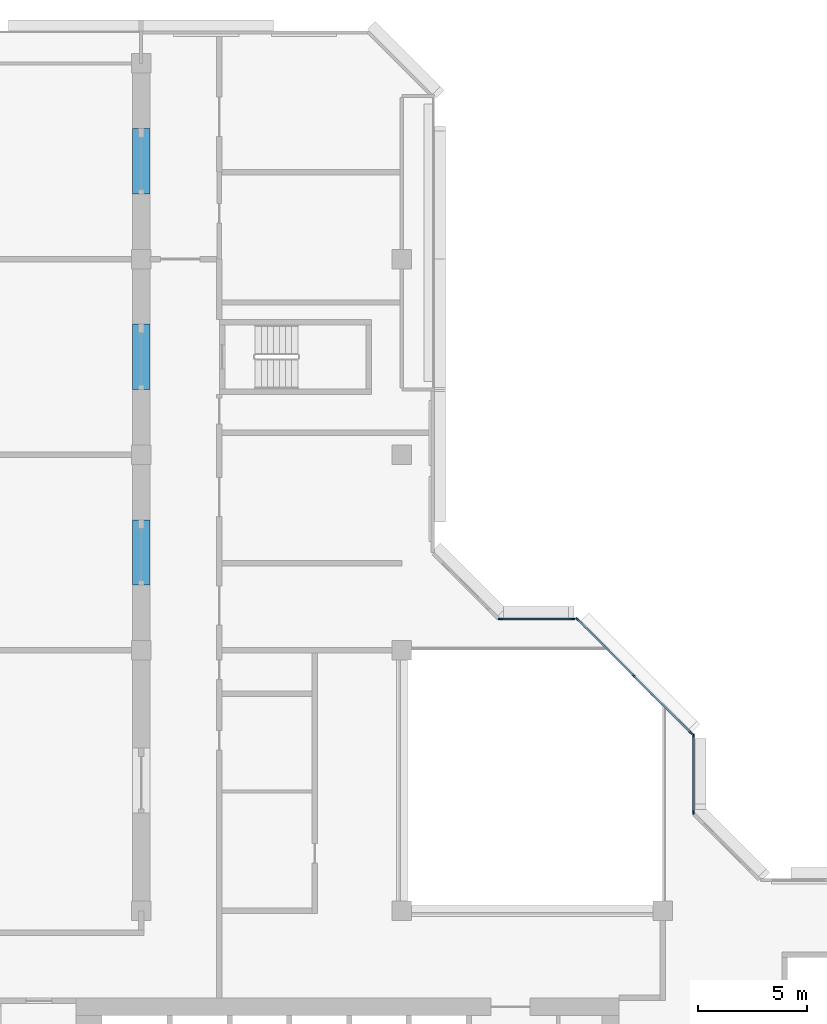
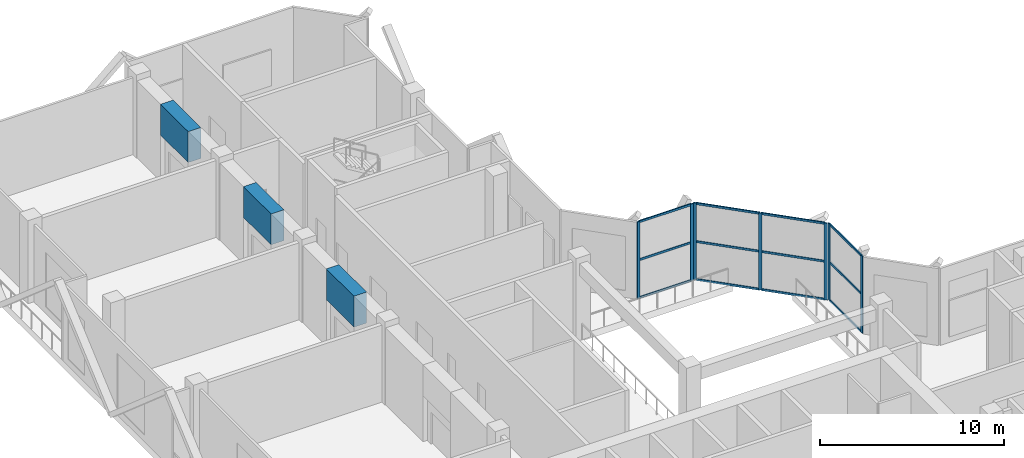
# One storey, part 2 of 11: 19 members, 3 beams, 3 elements without a shape of their own.
"""IFC4 building model written with IfcOpenShell, lengths in metres."""

from ifc_helpers import new_model, si_unit, direction, frame, origin, origin_2d, place, context, subcontext, project, spatial, rectangle, extrude, material, layer, layer_set, material_profile, profile_set, type_object, element, aggregate, save


model = new_model("IFC4")

# Units and contexts
model_context = context("Model", 3, precision=1e-05, world=origin(), true_north=direction((0.0, 1.0)))
body_context = subcontext(model_context, "Body", "Model", "MODEL_VIEW")
ifc_project = project(units=[si_unit("LENGTHUNIT", "METRE"), si_unit("AREAUNIT", "SQUARE_METRE"), si_unit("VOLUMEUNIT", "CUBIC_METRE"), si_unit("PLANEANGLEUNIT", "RADIAN"), si_unit("MASSUNIT", "GRAM", prefix="KILO")], contexts=[model_context])

# Site, building, storey
site_placement = place(None, origin())
site = spatial("IfcSite", under=ifc_project, at=site_placement, CompositionType="ELEMENT")
building_placement = place(site_placement, origin())
building = spatial("IfcBuilding", under=site, at=building_placement, Name="Chenar Terraces", CompositionType="ELEMENT")
storey_placement = place(building_placement, frame((0.0, 0.0, 206.14990234375)))
storey = spatial("IfcBuildingStorey", under=building, at=storey_placement, Name="L48", CompositionType="ELEMENT", Elevation=206.14990234375)

# Curtain wall, members
ifc_material_1 = material(Name="Aluminium framed glazing", Category="aluminium")
ifc_layer = layer(ifc_material_1, 0.14990234375)
ifc_layer_set = layer_set([ifc_layer], Name="Aluminium framed glazing")
curtain_wall_type = type_object("IfcCurtainWallType", Name="Atrium mid-zone curtain wall", PredefinedType="NOTDEFINED", material=ifc_layer_set)
placement = place(storey_placement, origin())
curtain_wall_1 = element("IfcCurtainWall", 1, at=placement, inside=storey, type_object=curtain_wall_type, Name="Atrium mid-zone curtain wall", PredefinedType="NOTDEFINED")
ifc_material_2 = material(Name="Aluminium", Category="aluminium")
ifc_material_profile_1 = material_profile(ifc_material_2, rectangle(XDim=0.070068359375, YDim=0.179931640625, at=origin_2d()), Name="Atrium mid-zone glazing mullion 70 x 180")
ifc_profile_set_1 = profile_set([ifc_material_profile_1], Name="Aluminium")
member_type_1 = type_object("IfcMemberType", Name="Atrium mid-zone glazing mullion 70 x 180", PredefinedType="MULLION", material=ifc_profile_set_1)
member_1_placement = place(storey_placement, frame((37.425048828125, 28.534912109375, 0.0), z_axis=(0.0, 0.0, 1.0), x_axis=(-1.0, 0.0, 0.0)))
member_1 = element("IfcMember", 2, at=member_1_placement, type_object=member_type_1, Name="CW7-1 mullion 1", PredefinedType="MULLION", context=body_context, shape_type="SweptSolid", body=[
    extrude(rectangle(XDim=0.070068359375, YDim=0.179931640625, at=origin_2d()), origin(), (0.0, 0.0, 1.0), 5.10009765625),
])
member_2_placement = place(storey_placement, frame((37.425048828125, 32.06494140625, 0.0), z_axis=(0.0, 0.0, 1.0), x_axis=(-1.0, 0.0, 0.0)))
member_2 = element("IfcMember", 3, at=member_2_placement, type_object=member_type_1, Name="CW7-1 mullion 2", PredefinedType="MULLION", context=body_context, shape_type="SweptSolid", body=[
    extrude(rectangle(XDim=0.070068359375, YDim=0.179931640625, at=origin_2d()), origin(), (0.0, 0.0, 1.0), 5.10009765625),
])

curtain_wall_2 = element("IfcCurtainWall", 4, at=placement, inside=storey, type_object=curtain_wall_type, Name="Atrium mid-zone curtain wall", PredefinedType="NOTDEFINED")
member_3_placement = place(storey_placement, frame((37.28076171875, 32.213134765625, 0.0), z_axis=(0.0, 0.0, 1.0), x_axis=(-0.707106781187, -0.707106781187, 0.0)))
member_3 = element("IfcMember", 5, at=member_3_placement, type_object=member_type_1, Name="CW7-2 mullion 1", PredefinedType="MULLION", context=body_context, shape_type="SweptSolid", body=[
    extrude(rectangle(XDim=0.070068359375, YDim=0.179931640625, at=origin_2d()), origin(), (0.0, 0.0, 1.0), 5.10009765625),
])
member_4_placement = place(storey_placement, frame((34.67626953125, 34.817626953125, 0.0), z_axis=(0.0, 0.0, 1.0), x_axis=(-0.707106781187, -0.707106781187, 0.0)))
member_4 = element("IfcMember", 6, at=member_4_placement, type_object=member_type_1, Name="CW7-2 mullion 2", PredefinedType="MULLION", context=body_context, shape_type="SweptSolid", body=[
    extrude(rectangle(XDim=0.070068359375, YDim=0.179931640625, at=origin_2d()), origin(), (0.0, 0.0, 1.0), 5.10009765625),
])
member_5_placement = place(storey_placement, frame((32.07177734375, 37.42236328125, 0.0), z_axis=(0.0, 0.0, 1.0), x_axis=(-0.707106781187, -0.707106781187, 0.0)))
member_5 = element("IfcMember", 7, at=member_5_placement, type_object=member_type_1, Name="CW7-2 mullion 3", PredefinedType="MULLION", context=body_context, shape_type="SweptSolid", body=[
    extrude(rectangle(XDim=0.070068359375, YDim=0.179931640625, at=origin_2d()), origin(), (0.0, 0.0, 1.0), 5.10009765625),
])

curtain_wall_3 = element("IfcCurtainWall", 8, at=placement, inside=storey, type_object=curtain_wall_type, Name="Atrium mid-zone curtain wall", PredefinedType="NOTDEFINED")
member_6_placement = place(storey_placement, frame((31.864990234375, 37.425048828125, 0.0), z_axis=(0.0, 0.0, 1.0), x_axis=(0.0, -1.0, 0.0)))
member_6 = element("IfcMember", 9, at=member_6_placement, type_object=member_type_1, Name="CW7-3 mullion 1", PredefinedType="MULLION", context=body_context, shape_type="SweptSolid", body=[
    extrude(rectangle(XDim=0.070068359375, YDim=0.179931640625, at=origin_2d()), origin(), (0.0, 0.0, 1.0), 5.10009765625),
])
member_7_placement = place(storey_placement, frame((28.534912109375, 37.425048828125, 0.0), z_axis=(0.0, 0.0, 1.0), x_axis=(0.0, -1.0, 0.0)))
member_7 = element("IfcMember", 10, at=member_7_placement, type_object=member_type_1, Name="CW7-3 mullion 2", PredefinedType="MULLION", context=body_context, shape_type="SweptSolid", body=[
    extrude(rectangle(XDim=0.070068359375, YDim=0.179931640625, at=origin_2d()), origin(), (0.0, 0.0, 1.0), 5.10009765625),
])

# Member
ifc_material_3 = material(Name="Aluminium", Category="aluminium")
ifc_material_profile_2 = material_profile(ifc_material_3, rectangle(XDim=0.070068359375, YDim=0.139892578125, at=origin_2d()), Name="Atrium mid-zone glazing transom 70 x 140")
ifc_profile_set_2 = profile_set([ifc_material_profile_2], Name="Aluminium")
member_type_2 = type_object("IfcMemberType", Name="Atrium mid-zone glazing transom 70 x 140", PredefinedType="USERDEFINED", material=ifc_profile_set_2)
member_8_placement = place(storey_placement, frame((37.425048828125, 28.570068359375, 0.03515625), z_axis=(0.0, 1.0, 0.0), x_axis=(-1.0, 0.0, 0.0)))
member_8 = element("IfcMember", 11, at=member_8_placement, type_object=member_type_2, Name="CW7-1 transom 1.1", ObjectType="TRANSOM", PredefinedType="USERDEFINED", context=body_context, shape_type="SweptSolid", body=[
    extrude(rectangle(XDim=0.070068359375, YDim=0.139892578125, at=origin_2d()), origin(), (0.0, 0.0, 1.0), 3.4599609375),
])

member_9_placement = place(storey_placement, frame((37.425048828125, 28.570068359375, 2.550048828125), z_axis=(0.0, 1.0, 0.0), x_axis=(-1.0, 0.0, 0.0)))
member_9 = element("IfcMember", 12, at=member_9_placement, type_object=member_type_2, Name="CW7-1 transom 1.2", ObjectType="TRANSOM", PredefinedType="USERDEFINED", context=body_context, shape_type="SweptSolid", body=[
    extrude(rectangle(XDim=0.070068359375, YDim=0.139892578125, at=origin_2d()), origin(), (0.0, 0.0, 1.0), 3.4599609375),
])

member_10_placement = place(storey_placement, frame((37.425048828125, 28.570068359375, 5.065185546875), z_axis=(0.0, 1.0, 0.0), x_axis=(-1.0, 0.0, 0.0)))
member_10 = element("IfcMember", 13, at=member_10_placement, type_object=member_type_2, Name="CW7-1 transom 1.3", ObjectType="TRANSOM", PredefinedType="USERDEFINED", context=body_context, shape_type="SweptSolid", body=[
    extrude(rectangle(XDim=0.070068359375, YDim=0.139892578125, at=origin_2d()), origin(), (0.0, 0.0, 1.0), 3.4599609375),
])

aggregate(curtain_wall_1, [member_1, member_2, member_8, member_9, member_10])

member_11_placement = place(storey_placement, frame((37.256103515625, 32.23779296875, 0.03515625), z_axis=(-0.707106781187, 0.707106781187, 0.0), x_axis=(-0.707106781187, -0.707106781187, 0.0)))
member_11 = element("IfcMember", 14, at=member_11_placement, type_object=member_type_2, Name="CW7-2 transom 1.1", ObjectType="TRANSOM", PredefinedType="USERDEFINED", context=body_context, shape_type="SweptSolid", body=[
    extrude(rectangle(XDim=0.070068359375, YDim=0.139892578125, at=origin_2d()), origin(), (0.0, 0.0, 1.0), 3.613525390625),
])

member_12_placement = place(storey_placement, frame((37.256103515625, 32.23779296875, 2.550048828125), z_axis=(-0.707106781187, 0.707106781187, 0.0), x_axis=(-0.707106781187, -0.707106781187, 0.0)))
member_12 = element("IfcMember", 15, at=member_12_placement, type_object=member_type_2, Name="CW7-2 transom 1.2", ObjectType="TRANSOM", PredefinedType="USERDEFINED", context=body_context, shape_type="SweptSolid", body=[
    extrude(rectangle(XDim=0.070068359375, YDim=0.139892578125, at=origin_2d()), origin(), (0.0, 0.0, 1.0), 3.613525390625),
])

member_13_placement = place(storey_placement, frame((37.256103515625, 32.23779296875, 5.065185546875), z_axis=(-0.707106781187, 0.707106781187, 0.0), x_axis=(-0.707106781187, -0.707106781187, 0.0)))
member_13 = element("IfcMember", 16, at=member_13_placement, type_object=member_type_2, Name="CW7-2 transom 1.3", ObjectType="TRANSOM", PredefinedType="USERDEFINED", context=body_context, shape_type="SweptSolid", body=[
    extrude(rectangle(XDim=0.070068359375, YDim=0.139892578125, at=origin_2d()), origin(), (0.0, 0.0, 1.0), 3.613525390625),
])

member_14_placement = place(storey_placement, frame((34.651611328125, 34.842529296875, 0.03515625), z_axis=(-0.707140563131, 0.707072997628, 0.0), x_axis=(-0.707072997628, -0.707140563131, 0.0)))
member_14 = element("IfcMember", 17, at=member_14_placement, type_object=member_type_2, Name="CW7-2 transom 2.1", ObjectType="TRANSOM", PredefinedType="USERDEFINED", context=body_context, shape_type="SweptSolid", body=[
    extrude(rectangle(XDim=0.070068359375, YDim=0.139892578125, at=origin_2d()), origin(), (0.0, 0.0, 1.0), 3.61328125),
])

member_15_placement = place(storey_placement, frame((34.651611328125, 34.842529296875, 2.550048828125), z_axis=(-0.707140563131, 0.707072997628, 0.0), x_axis=(-0.707072997628, -0.707140563131, 0.0)))
member_15 = element("IfcMember", 18, at=member_15_placement, type_object=member_type_2, Name="CW7-2 transom 2.2", ObjectType="TRANSOM", PredefinedType="USERDEFINED", context=body_context, shape_type="SweptSolid", body=[
    extrude(rectangle(XDim=0.070068359375, YDim=0.139892578125, at=origin_2d()), origin(), (0.0, 0.0, 1.0), 3.61328125),
])

member_16_placement = place(storey_placement, frame((34.651611328125, 34.842529296875, 5.065185546875), z_axis=(-0.707140563131, 0.707072997628, 0.0), x_axis=(-0.707072997628, -0.707140563131, 0.0)))
member_16 = element("IfcMember", 19, at=member_16_placement, type_object=member_type_2, Name="CW7-2 transom 2.3", ObjectType="TRANSOM", PredefinedType="USERDEFINED", context=body_context, shape_type="SweptSolid", body=[
    extrude(rectangle(XDim=0.070068359375, YDim=0.139892578125, at=origin_2d()), origin(), (0.0, 0.0, 1.0), 3.61328125),
])

aggregate(curtain_wall_2, [member_3, member_4, member_5, member_11, member_12, member_13, member_14, member_15, member_16])

member_17_placement = place(storey_placement, frame((31.830078125, 37.425048828125, 0.03515625), z_axis=(-1.0, 0.0, 0.0), x_axis=(0.0, -1.0, 0.0)))
member_17 = element("IfcMember", 20, at=member_17_placement, type_object=member_type_2, Name="CW7-3 transom 1.1", ObjectType="TRANSOM", PredefinedType="USERDEFINED", context=body_context, shape_type="SweptSolid", body=[
    extrude(rectangle(XDim=0.070068359375, YDim=0.139892578125, at=origin_2d()), origin(), (0.0, 0.0, 1.0), 3.260009765625),
])

member_18_placement = place(storey_placement, frame((31.830078125, 37.425048828125, 2.550048828125), z_axis=(-1.0, 0.0, 0.0), x_axis=(0.0, -1.0, 0.0)))
member_18 = element("IfcMember", 21, at=member_18_placement, type_object=member_type_2, Name="CW7-3 transom 1.2", ObjectType="TRANSOM", PredefinedType="USERDEFINED", context=body_context, shape_type="SweptSolid", body=[
    extrude(rectangle(XDim=0.070068359375, YDim=0.139892578125, at=origin_2d()), origin(), (0.0, 0.0, 1.0), 3.260009765625),
])

member_19_placement = place(storey_placement, frame((31.830078125, 37.425048828125, 5.065185546875), z_axis=(-1.0, 0.0, 0.0), x_axis=(0.0, -1.0, 0.0)))
member_19 = element("IfcMember", 22, at=member_19_placement, type_object=member_type_2, Name="CW7-3 transom 1.3", ObjectType="TRANSOM", PredefinedType="USERDEFINED", context=body_context, shape_type="SweptSolid", body=[
    extrude(rectangle(XDim=0.070068359375, YDim=0.139892578125, at=origin_2d()), origin(), (0.0, 0.0, 1.0), 3.260009765625),
])

aggregate(curtain_wall_3, [member_6, member_7, member_17, member_18, member_19])

# Beams
ifc_material_4 = material(Name="Concrete C60/75", Category="concrete")
ifc_material_profile_3 = material_profile(ifc_material_4, rectangle(XDim=0.800048828125, YDim=2.050048828125, at=origin_2d()), Name="RC 800 x 2050")
ifc_profile_set_3 = profile_set([ifc_material_profile_3], Name="Concrete C60/75")
beam_type = type_object("IfcBeamType", Name="Belt lintel beam 800 x 2050 Concrete C60/75", PredefinedType="BEAM", material=ifc_profile_set_3)
for number, where, z_axis, x_axis, name in (
    (23, (12.0, 39.0, 4.0751953125), (0.0, 1.0, 0.0), (-1.0, 0.0, 0.0), "Belt lintel beam L48 B2"),
    (24, (12.0, 48.0, 4.0751953125), (0.0, 1.0, 0.0), (-1.0, 0.0, 0.0), "Belt lintel beam L48 B3"),
    (25, (12.0, 57.0, 4.0751953125), (0.0, 1.0, 0.0), (-1.0, 0.0, 0.0), "Belt lintel beam L48 B4"),
):
    element("IfcBeam", number, at=place(storey_placement, frame(where, z_axis=z_axis, x_axis=x_axis)), inside=storey, type_object=beam_type, Name=name, PredefinedType="BEAM", context=body_context, shape_type="SweptSolid", body=[
        extrude(rectangle(XDim=0.800048828125, YDim=2.050048828125, at=origin_2d()), origin(), (0.0, 0.0, 1.0), 3.0),
    ])

save(model, "model.ifc")
